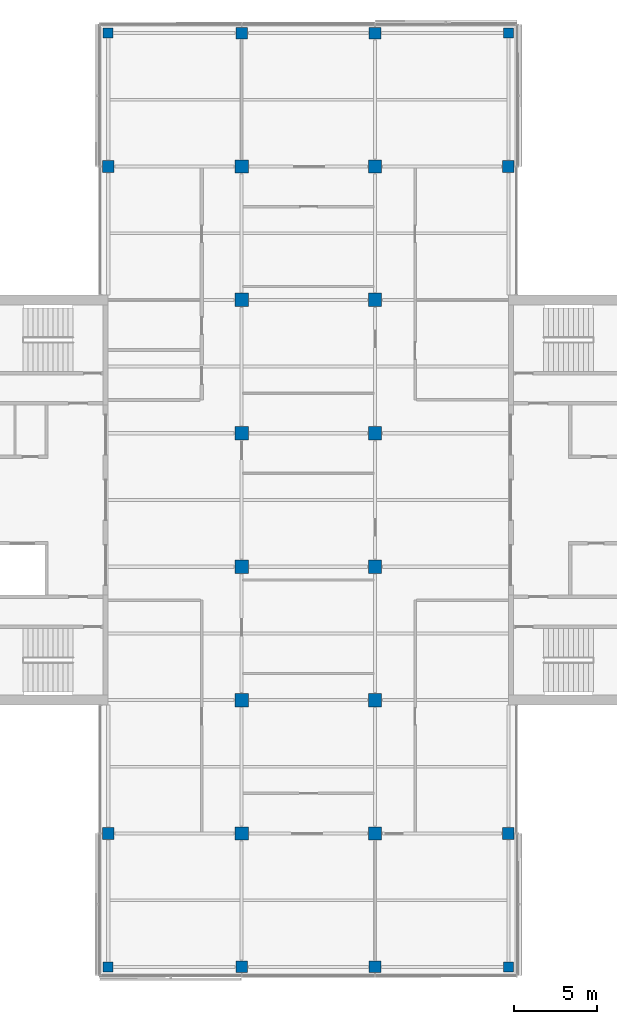
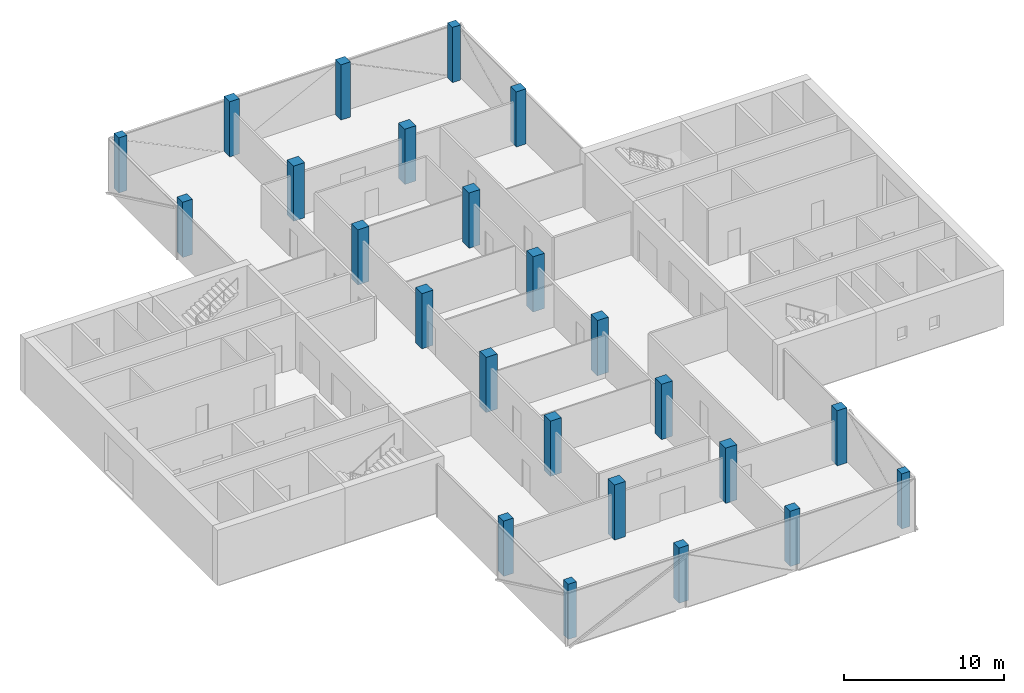
# One storey, part 1 of 15: 24 columns.
"""IFC4 building model written with IfcOpenShell, lengths in metres."""

from ifc_helpers import new_model, si_unit, direction, frame, origin, origin_2d, place, context, subcontext, project, spatial, rectangle, extrude, material, material_profile, profile_set, type_object, element, save


model = new_model("IFC4")

# Units and contexts
model_context = context("Model", 3, precision=1e-05, world=origin(), true_north=direction((0.0, 1.0)))
body_context = subcontext(model_context, "Body", "Model", "MODEL_VIEW")
ifc_project = project(units=[si_unit("LENGTHUNIT", "METRE"), si_unit("AREAUNIT", "SQUARE_METRE"), si_unit("VOLUMEUNIT", "CUBIC_METRE"), si_unit("PLANEANGLEUNIT", "RADIAN"), si_unit("MASSUNIT", "GRAM", prefix="KILO")], contexts=[model_context])

# Site, building, storey
site_placement = place(None, origin())
site = spatial("IfcSite", under=ifc_project, at=site_placement, CompositionType="ELEMENT")
building_placement = place(site_placement, origin())
building = spatial("IfcBuilding", under=site, at=building_placement, Name="Crosswind Convention Tower", CompositionType="ELEMENT")
storey_placement = place(building_placement, frame((0.0, 0.0, 233.5)))
storey = spatial("IfcBuildingStorey", under=building, at=storey_placement, Name="L50", CompositionType="ELEMENT", Elevation=233.5)

# Columns
ifc_material = material(Name="Concrete C60/75", Category="concrete")
ifc_material_profile_1 = material_profile(ifc_material, rectangle(XDim=0.60009765625, YDim=0.60009765625, at=origin_2d()), Name="RC 600X600")
ifc_profile_set_1 = profile_set([ifc_material_profile_1], Name="Concrete C60/75")
column_type_1 = type_object("IfcColumnType", Name="Column RC 600X600", PredefinedType="COLUMN", material=ifc_profile_set_1)
for number, where, z_axis, x_axis, name in (
    (1, (113.0, 72.0, 0.0), (0.0, 0.0, 1.0), (1.0, 0.0, 0.0), "C16 L50 5/C"),
    (2, (113.0, 128.0, 0.0), (0.0, 0.0, 1.0), (1.0, 0.0, 0.0), "C16 L50 5/J"),
    (3, (137.0, 72.0, 0.0), (0.0, 0.0, 1.0), (1.0, 0.0, 0.0), "C16 L50 8/C"),
    (4, (137.0, 128.0, 0.0), (0.0, 0.0, 1.0), (1.0, 0.0, 0.0), "C16 L50 8/J"),
):
    element("IfcColumn", number, at=place(storey_placement, frame(where, z_axis=z_axis, x_axis=x_axis)), inside=storey, type_object=column_type_1, Name=name, PredefinedType="COLUMN", context=body_context, shape_type="SweptSolid", body=[
        extrude(rectangle(XDim=0.60009765625, YDim=0.60009765625, at=origin_2d()), origin(), (0.0, 0.0, 1.0), 4.199951171875),
    ])
ifc_material_profile_2 = material_profile(ifc_material, rectangle(XDim=0.699951171875, YDim=0.699951171875, at=origin_2d()), Name="RC 700X700")
ifc_profile_set_2 = profile_set([ifc_material_profile_2], Name="Concrete C60/75")
column_type_2 = type_object("IfcColumnType", Name="Column RC 700X700", PredefinedType="COLUMN", material=ifc_profile_set_2)
for number, where, z_axis, x_axis, name in (
    (5, (113.0, 80.0, 0.0), (0.0, 0.0, 1.0), (1.0, 0.0, 0.0), "C15 L50 5/D"),
    (6, (113.0, 120.0, 0.0), (0.0, 0.0, 1.0), (1.0, 0.0, 0.0), "C15 L50 5/I"),
    (7, (121.0, 72.0, 0.0), (0.0, 0.0, 1.0), (1.0, 0.0, 0.0), "C15 L50 6/C"),
    (8, (121.0, 128.0, 0.0), (0.0, 0.0, 1.0), (1.0, 0.0, 0.0), "C15 L50 6/J"),
    (9, (129.0, 72.0, 0.0), (0.0, 0.0, 1.0), (1.0, 0.0, 0.0), "C15 L50 7/C"),
    (10, (129.0, 128.0, 0.0), (0.0, 0.0, 1.0), (1.0, 0.0, 0.0), "C15 L50 7/J"),
    (11, (137.0, 80.0, 0.0), (0.0, 0.0, 1.0), (1.0, 0.0, 0.0), "C15 L50 8/D"),
    (12, (137.0, 120.0, 0.0), (0.0, 0.0, 1.0), (1.0, 0.0, 0.0), "C15 L50 8/I"),
):
    element("IfcColumn", number, at=place(storey_placement, frame(where, z_axis=z_axis, x_axis=x_axis)), inside=storey, type_object=column_type_2, Name=name, PredefinedType="COLUMN", context=body_context, shape_type="SweptSolid", body=[
        extrude(rectangle(XDim=0.699951171875, YDim=0.699951171875, at=origin_2d()), origin(), (0.0, 0.0, 1.0), 4.199951171875),
    ])
ifc_material_profile_3 = material_profile(ifc_material, rectangle(XDim=0.800048828125, YDim=0.800048828125, at=origin_2d()), Name="RC 800X800")
ifc_profile_set_3 = profile_set([ifc_material_profile_3], Name="Concrete C60/75")
column_type_3 = type_object("IfcColumnType", Name="Column RC 800X800", PredefinedType="COLUMN", material=ifc_profile_set_3)
for number, where, z_axis, x_axis, name in (
    (13, (121.0, 80.0, 0.0), (0.0, 0.0, 1.0), (1.0, 0.0, 0.0), "C14 L50 6/D"),
    (14, (121.0, 88.0, 0.0), (0.0, 0.0, 1.0), (1.0, 0.0, 0.0), "C14 L50 6/E"),
    (15, (121.0, 96.0, 0.0), (0.0, 0.0, 1.0), (1.0, 0.0, 0.0), "C14 L50 6/F"),
    (16, (121.0, 104.0, 0.0), (0.0, 0.0, 1.0), (1.0, 0.0, 0.0), "C14 L50 6/G"),
    (17, (121.0, 112.0, 0.0), (0.0, 0.0, 1.0), (1.0, 0.0, 0.0), "C14 L50 6/H"),
    (18, (121.0, 120.0, 0.0), (0.0, 0.0, 1.0), (1.0, 0.0, 0.0), "C14 L50 6/I"),
    (19, (129.0, 80.0, 0.0), (0.0, 0.0, 1.0), (1.0, 0.0, 0.0), "C14 L50 7/D"),
    (20, (129.0, 88.0, 0.0), (0.0, 0.0, 1.0), (1.0, 0.0, 0.0), "C14 L50 7/E"),
    (21, (129.0, 96.0, 0.0), (0.0, 0.0, 1.0), (1.0, 0.0, 0.0), "C14 L50 7/F"),
    (22, (129.0, 104.0, 0.0), (0.0, 0.0, 1.0), (1.0, 0.0, 0.0), "C14 L50 7/G"),
    (23, (129.0, 112.0, 0.0), (0.0, 0.0, 1.0), (1.0, 0.0, 0.0), "C14 L50 7/H"),
    (24, (129.0, 120.0, 0.0), (0.0, 0.0, 1.0), (1.0, 0.0, 0.0), "C14 L50 7/I"),
):
    element("IfcColumn", number, at=place(storey_placement, frame(where, z_axis=z_axis, x_axis=x_axis)), inside=storey, type_object=column_type_3, Name=name, PredefinedType="COLUMN", context=body_context, shape_type="SweptSolid", body=[
        extrude(rectangle(XDim=0.800048828125, YDim=0.800048828125, at=origin_2d()), origin(), (0.0, 0.0, 1.0), 4.199951171875),
    ])

save(model, "model.ifc")
